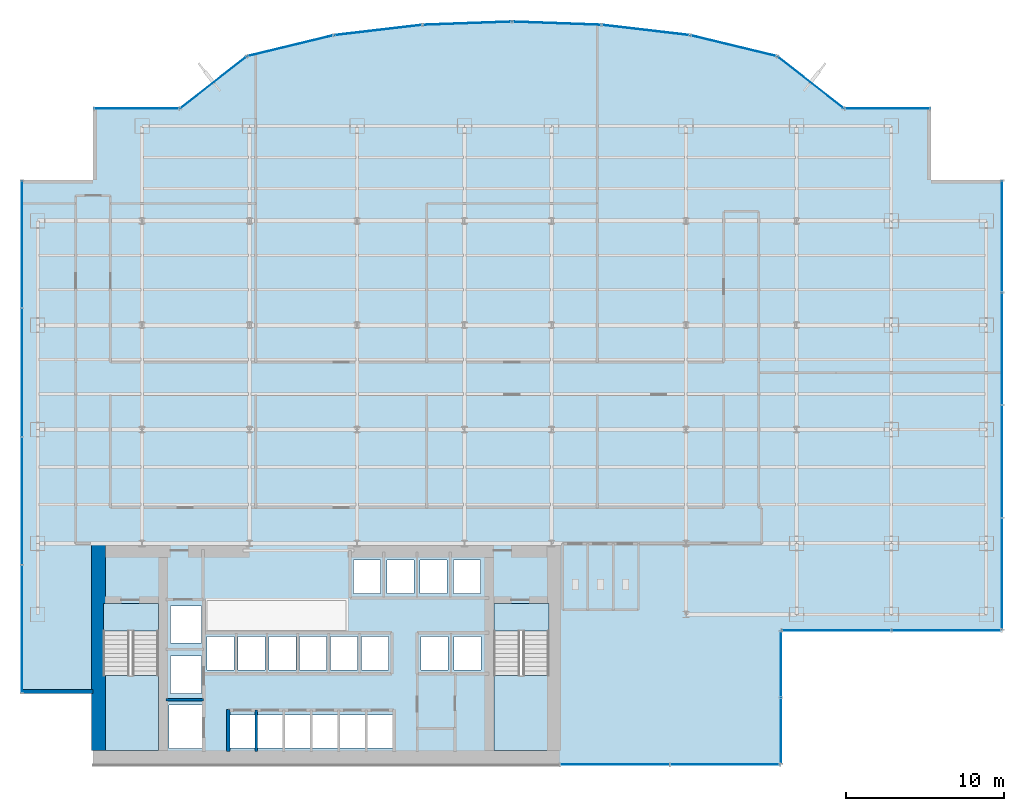
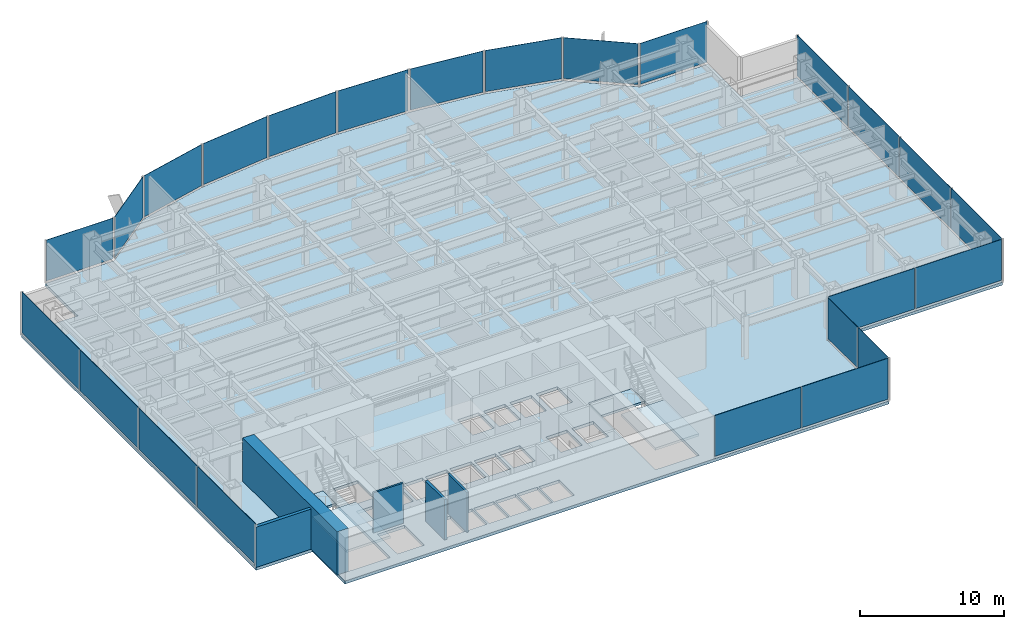
# One storey, part 17 of 23: 24 plates, 5 slabs, 5 walls, 17 elements without a shape of their own.
"""IFC4 building model written with IfcOpenShell, lengths in metres."""

from ifc_helpers import new_model, si_unit, derived_unit, direction, frame, frame_2d, origin, origin_2d, place, context, subcontext, project, spatial, polyline, rectangle, outline, extrude, source, transform, mapped, material, layer, layer_set, type_object, element, aggregate, save


model = new_model("IFC4")

# Units and contexts
model_context = context("Model", 3, precision=1e-05, world=origin(), true_north=direction((0.0, 1.0)))
body_context = subcontext(model_context, "Body", "Model", "MODEL_VIEW")
ifc_project = project(units=[si_unit("LENGTHUNIT", "METRE"), si_unit("AREAUNIT", "SQUARE_METRE"), si_unit("VOLUMEUNIT", "CUBIC_METRE"), si_unit("PLANEANGLEUNIT", "RADIAN"), si_unit("MASSUNIT", "GRAM", prefix="KILO"), derived_unit("THERMALTRANSMITTANCEUNIT", [(si_unit("POWERUNIT", "WATT"), 1), (si_unit("LENGTHUNIT", "METRE"), -2), (si_unit("THERMODYNAMICTEMPERATUREUNIT", "KELVIN"), -1)])], contexts=[model_context])

# Site, building, storey
site_placement = place(None, origin())
site = spatial("IfcSite", under=ifc_project, at=site_placement, CompositionType="ELEMENT")
building_placement = place(site_placement, origin())
building = spatial("IfcBuilding", under=site, at=building_placement, Name="Skarnbrae Concourse Arena and Tower", CompositionType="ELEMENT")
storey_placement = place(building_placement, frame((0.0, 0.0, 50.75)))
storey = spatial("IfcBuildingStorey", under=building, at=storey_placement, Name="L11", CompositionType="ELEMENT", Elevation=50.75)

# Stair, slab
ifc_material_1 = material(Name="Concrete 40 MPa (C40/50)", Category="concrete")
stair_type = type_object("IfcStairType", Name="STAIR-DOGLEG-1650", PredefinedType="HALF_TURN_STAIR", material=ifc_material_1)
stair_1_placement = place(storey_placement, origin())
stair_1 = element("IfcStair", 1, at=stair_1_placement, inside=storey, type_object=stair_type, Name="L11 Protected Exit Stair ST-1", PredefinedType="HALF_TURN_STAIR")
ifc_layer_1 = layer(ifc_material_1, 0.199951171875)
ifc_layer_set_1 = layer_set([ifc_layer_1], Name="Concrete 40 MPa (C40/50)")
slab_type_1 = type_object("IfcSlabType", Name="SLAB-LANDING-200", PredefinedType="LANDING", material=ifc_layer_set_1)
slab_1_placement = place(storey_placement, frame((0.0, 0.0, 1.625)))
slab_1 = element("IfcSlab", 2, at=slab_1_placement, type_object=slab_type_1, Name="ST-1 landing 1", PredefinedType="LANDING", context=body_context, shape_type="SweptSolid", body=[
    extrude(outline(polyline([(5.14990234375, 5.64990234375), (5.14990234375, 0.89990234375), (8.64990234375, 0.89990234375), (8.64990234375, 5.64990234375), (5.14990234375, 5.64990234375)])), origin(), (0.0, 0.0, 1.0), 0.199951171875),
])
aggregate(stair_1, [slab_1])

stair_2_placement = place(storey_placement, origin())
stair_2 = element("IfcStair", 3, at=stair_2_placement, inside=storey, type_object=stair_type, Name="L11 Protected Exit Stair ST-2", PredefinedType="HALF_TURN_STAIR")
slab_2_placement = place(storey_placement, frame((0.0, 0.0, 1.625)))
slab_2 = element("IfcSlab", 4, at=slab_2_placement, type_object=slab_type_1, Name="ST-2 landing 1", PredefinedType="LANDING", context=body_context, shape_type="SweptSolid", body=[
    extrude(outline(polyline([(29.85009765625, 5.64990234375), (29.85009765625, 0.89990234375), (33.35009765625, 0.89990234375), (33.35009765625, 5.64990234375), (29.85009765625, 5.64990234375)])), origin(), (0.0, 0.0, 1.0), 0.199951171875),
])
aggregate(stair_2, [slab_2])

# Slabs
slab_3_placement = place(storey_placement, frame((0.0, 0.0, -0.199951171875)))
element("IfcSlab", 5, at=slab_3_placement, inside=storey, type_object=slab_type_1, Name="L11 Core stair ST1 floor landing", PredefinedType="LANDING", context=body_context, shape_type="SweptSolid", body=[
    extrude(outline(polyline([(5.14990234375, 10.199951171875), (5.14990234375, 8.449951171875), (8.64990234375, 8.449951171875), (8.64990234375, 10.199951171875), (5.14990234375, 10.199951171875)])), origin(), (0.0, 0.0, 1.0), 0.199951171875),
])
slab_4_placement = place(storey_placement, frame((0.0, 0.0, -0.199951171875)))
element("IfcSlab", 6, at=slab_4_placement, inside=storey, type_object=slab_type_1, Name="L11 Core stair ST2 floor landing", PredefinedType="LANDING", context=body_context, shape_type="SweptSolid", body=[
    extrude(outline(polyline([(29.85009765625, 10.199951171875), (29.85009765625, 8.449951171875), (33.35009765625, 8.449951171875), (33.35009765625, 10.199951171875), (29.85009765625, 10.199951171875)])), origin(), (0.0, 0.0, 1.0), 0.199951171875),
])
ifc_layer_2 = layer(ifc_material_1, 0.25)
ifc_layer_set_2 = layer_set([ifc_layer_2], Name="Concrete 40 MPa (C40/50)")
slab_type_2 = type_object("IfcSlabType", Name="SLAB-TOWER-250", PredefinedType="FLOOR", material=ifc_layer_set_2)
slab_5_placement = place(storey_placement, frame((0.0, 0.0, -0.25)))
element("IfcSlab", 7, at=slab_5_placement, inside=storey, type_object=slab_type_2, Name="L11 Structural floor slab", PredefinedType="FLOOR", context=body_context, shape_type="SweptSolid", body=[
    extrude(outline(polyline([(4.5, 0.0), (48.0, 0.0), (48.0, 8.5), (62.0, 8.5), (62.0, 37.0), (57.5, 37.0), (57.5, 41.5), (52.0, 41.5), (47.766357421875, 44.811767578125), (42.2724609375, 46.140380859375), (36.65380859375, 46.796875), (31.0, 47.0), (25.34619140625, 46.796875), (19.7275390625, 46.140380859375), (14.233642578125, 44.811767578125), (10.0, 41.5), (4.5, 41.5), (4.5, 37.0), (0.0, 37.0), (0.0, 4.5), (4.5, 4.5), (4.5, 0.0)]), holes=[polyline([(13.14501953125, 3.155029296875), (14.7548828125, 3.155029296875), (14.7548828125, 1.044921875), (13.14501953125, 1.044921875), (13.14501953125, 3.155029296875)]), polyline([(16.4951171875, 3.155029296875), (16.4951171875, 1.044921875), (14.885009765625, 1.044921875), (14.885009765625, 3.155029296875), (16.4951171875, 3.155029296875)]), polyline([(18.235107421875, 3.155029296875), (18.235107421875, 1.044921875), (16.625, 1.044921875), (16.625, 3.155029296875), (18.235107421875, 3.155029296875)]), polyline([(18.364990234375, 3.155029296875), (19.97509765625, 3.155029296875), (19.97509765625, 1.044921875), (18.364990234375, 1.044921875), (18.364990234375, 3.155029296875)]), polyline([(11.455078125, 3.780029296875), (11.455078125, 1.02001953125), (9.294921875, 1.02001953125), (9.294921875, 3.780029296875), (11.455078125, 3.780029296875)]), polyline([(8.64990234375, 0.89990234375), (5.14990234375, 0.89990234375), (5.14990234375, 10.199951171875), (8.64990234375, 10.199951171875), (8.64990234375, 0.89990234375)]), polyline([(9.39501953125, 6.8798828125), (11.35498046875, 6.8798828125), (11.35498046875, 4.52001953125), (9.39501953125, 4.52001953125), (9.39501953125, 6.8798828125)]), polyline([(13.429931640625, 8.10498046875), (13.429931640625, 5.9951171875), (11.719970703125, 5.9951171875), (11.719970703125, 8.10498046875), (13.429931640625, 8.10498046875)]), polyline([(15.3798828125, 8.10498046875), (15.3798828125, 5.9951171875), (13.669921875, 5.9951171875), (13.669921875, 8.10498046875), (15.3798828125, 8.10498046875)]), polyline([(15.6201171875, 8.10498046875), (17.330078125, 8.10498046875), (17.330078125, 5.9951171875), (15.6201171875, 5.9951171875), (15.6201171875, 8.10498046875)]), polyline([(19.280029296875, 8.10498046875), (19.280029296875, 5.9951171875), (17.570068359375, 5.9951171875), (17.570068359375, 8.10498046875), (19.280029296875, 8.10498046875)]), polyline([(11.35498046875, 10.054931640625), (11.35498046875, 7.695068359375), (9.39501953125, 7.695068359375), (9.39501953125, 10.054931640625), (11.35498046875, 10.054931640625)]), polyline([(21.715087890625, 3.155029296875), (21.715087890625, 1.044921875), (20.10498046875, 1.044921875), (20.10498046875, 3.155029296875), (21.715087890625, 3.155029296875)]), polyline([(23.455078125, 3.155029296875), (23.455078125, 1.044921875), (21.844970703125, 1.044921875), (21.844970703125, 3.155029296875), (23.455078125, 3.155029296875)]), polyline([(33.35009765625, 10.199951171875), (33.35009765625, 0.89990234375), (29.85009765625, 0.89990234375), (29.85009765625, 10.199951171875), (33.35009765625, 10.199951171875)]), polyline([(21.22998046875, 8.10498046875), (21.22998046875, 5.9951171875), (19.52001953125, 5.9951171875), (19.52001953125, 8.10498046875), (21.22998046875, 8.10498046875)]), polyline([(23.179931640625, 8.10498046875), (23.179931640625, 5.9951171875), (21.469970703125, 5.9951171875), (21.469970703125, 8.10498046875), (23.179931640625, 8.10498046875)]), polyline([(25.235107421875, 8.10498046875), (26.945068359375, 8.10498046875), (26.945068359375, 5.9951171875), (25.235107421875, 5.9951171875), (25.235107421875, 8.10498046875)]), polyline([(29.044921875, 8.10498046875), (29.044921875, 5.9951171875), (27.3349609375, 5.9951171875), (27.3349609375, 8.10498046875), (29.044921875, 8.10498046875)]), polyline([(22.695068359375, 12.955078125), (22.695068359375, 10.844970703125), (20.985107421875, 10.844970703125), (20.985107421875, 12.955078125), (22.695068359375, 12.955078125)]), polyline([(23.0849609375, 12.955078125), (24.794921875, 12.955078125), (24.794921875, 10.844970703125), (23.0849609375, 10.844970703125), (23.0849609375, 12.955078125)]), polyline([(26.89501953125, 12.955078125), (26.89501953125, 10.844970703125), (25.18505859375, 10.844970703125), (25.18505859375, 12.955078125), (26.89501953125, 12.955078125)]), polyline([(28.9951171875, 12.955078125), (28.9951171875, 10.844970703125), (27.284912109375, 10.844970703125), (27.284912109375, 12.955078125), (28.9951171875, 12.955078125)])]), origin(), (0.0, 0.0, 1.0), 0.25),
])

# Curtain wall, plates
ifc_material_2 = material(Name="Bronze anodised aluminium 6063-T6", Category="aluminium")
curtain_wall_type_1 = type_object("IfcCurtainWallType", Name="CW-SYS-02-LOWZONE", PredefinedType="USERDEFINED", material=ifc_material_2)
curtain_wall_1_placement = place(storey_placement, origin())
curtain_wall_1 = element("IfcCurtainWall", 8, at=curtain_wall_1_placement, inside=storey, type_object=curtain_wall_type_1, Name="L11 Unitised curtain wall CW-L11-SE-SPINE", ObjectType="UNITISED CURTAIN WALL", PredefinedType="USERDEFINED")
ifc_material_3 = material(Name="Low-E triple insulating glass", Category="glass")
ifc_layer_3 = layer(ifc_material_3, 0.031982421875)
ifc_layer_set_3 = layer_set([ifc_layer_3], Name="Low-E triple insulating glass")
plate_type_1 = type_object("IfcPlateType", Name="CWP-CW-02", PredefinedType="CURTAIN_PANEL", material=ifc_layer_set_3)
shared_shape_1 = source(origin(), body_context, "Body", "SweptSolid", [
    extrude(rectangle(XDim=6.8798828125, YDim=0.031982421875, at=origin_2d()), origin(), (0.0, 0.0, 1.0), 3.4599609375),
])
plate_1_placement = place(storey_placement, frame((37.52001953125, 0.0, 0.18994140625), z_axis=(0.0, 0.0, 1.0), x_axis=(1.0, 0.0, 0.0)))
plate_1 = element("IfcPlate", 9, at=plate_1_placement, type_object=plate_type_1, Name="CW-L11-SE-SPINE Low-E Glazing Panel 1", PredefinedType="CURTAIN_PANEL", context=body_context, shape_type="MappedRepresentation", body=[
    mapped(shared_shape_1, transform((0.0, 0.0, 0.0))),
])
plate_2_placement = place(storey_placement, frame((44.47998046875, 0.0, 0.18994140625), z_axis=(0.0, 0.0, 1.0), x_axis=(1.0, 0.0, 0.0)))
plate_2 = element("IfcPlate", 10, at=plate_2_placement, type_object=plate_type_1, Name="CW-L11-SE-SPINE Low-E Glazing Panel 2", PredefinedType="CURTAIN_PANEL", context=body_context, shape_type="MappedRepresentation", body=[
    mapped(shared_shape_1, transform((0.0, 0.0, 0.0))),
])
aggregate(curtain_wall_1, [plate_1, plate_2])

curtain_wall_2_placement = place(storey_placement, origin())
curtain_wall_2 = element("IfcCurtainWall", 11, at=curtain_wall_2_placement, inside=storey, type_object=curtain_wall_type_1, Name="L11 Unitised curtain wall CW-L11-E03", ObjectType="UNITISED CURTAIN WALL", PredefinedType="USERDEFINED")
plate_3_placement = place(storey_placement, frame((51.52001953125, 8.5, 0.18994140625), z_axis=(0.0, 0.0, 1.0), x_axis=(1.0, 0.0, 0.0)))
plate_3 = element("IfcPlate", 12, at=plate_3_placement, type_object=plate_type_1, Name="CW-L11-E03 Low-E Glazing Panel 1", PredefinedType="CURTAIN_PANEL", context=body_context, shape_type="MappedRepresentation", body=[
    mapped(shared_shape_1, transform((0.0, 0.0, 0.0))),
])
plate_4_placement = place(storey_placement, frame((58.47998046875, 8.5, 0.18994140625), z_axis=(0.0, 0.0, 1.0), x_axis=(1.0, 0.0, 0.0)))
plate_4 = element("IfcPlate", 13, at=plate_4_placement, type_object=plate_type_1, Name="CW-L11-E03 Low-E Glazing Panel 2", PredefinedType="CURTAIN_PANEL", context=body_context, shape_type="MappedRepresentation", body=[
    mapped(shared_shape_1, transform((0.0, 0.0, 0.0))),
])
aggregate(curtain_wall_2, [plate_3, plate_4])

curtain_wall_3_placement = place(storey_placement, origin())
curtain_wall_3 = element("IfcCurtainWall", 14, at=curtain_wall_3_placement, inside=storey, type_object=curtain_wall_type_1, Name="L11 Unitised curtain wall CW-L11-E02", ObjectType="UNITISED CURTAIN WALL", PredefinedType="USERDEFINED")
shared_shape_2 = source(origin(), body_context, "Body", "SweptSolid", [
    extrude(rectangle(XDim=4.1298828125, YDim=0.031982421875, at=origin_2d()), origin(), (0.0, 0.0, 1.0), 3.4599609375),
])
plate_5_placement = place(storey_placement, frame((48.0, 2.14501953125, 0.18994140625), z_axis=(0.0, 0.0, 1.0), x_axis=(0.0, 1.0, 0.0)))
plate_5 = element("IfcPlate", 15, at=plate_5_placement, type_object=plate_type_1, Name="CW-L11-E02 Low-E Glazing Panel 1", PredefinedType="CURTAIN_PANEL", context=body_context, shape_type="MappedRepresentation", body=[
    mapped(shared_shape_2, transform((0.0, 0.0, 0.0))),
])
plate_6_placement = place(storey_placement, frame((48.0, 6.35498046875, 0.18994140625), z_axis=(0.0, 0.0, 1.0), x_axis=(0.0, 1.0, 0.0)))
plate_6 = element("IfcPlate", 16, at=plate_6_placement, type_object=plate_type_1, Name="CW-L11-E02 Low-E Glazing Panel 2", PredefinedType="CURTAIN_PANEL", context=body_context, shape_type="MappedRepresentation", body=[
    mapped(shared_shape_2, transform((0.0, 0.0, 0.0))),
])
aggregate(curtain_wall_3, [plate_5, plate_6])

curtain_wall_4_placement = place(storey_placement, origin())
curtain_wall_4 = element("IfcCurtainWall", 17, at=curtain_wall_4_placement, inside=storey, type_object=curtain_wall_type_1, Name="L11 Unitised curtain wall CW-L11-E04", ObjectType="UNITISED CURTAIN WALL", PredefinedType="USERDEFINED")
shared_shape_3 = source(origin(), body_context, "Body", "SweptSolid", [
    extrude(rectangle(XDim=7.0048828125, YDim=0.031982421875, at=origin_2d()), origin(), (0.0, 0.0, 1.0), 3.4599609375),
])
plate_7_placement = place(storey_placement, frame((62.0, 12.08251953125, 0.18994140625), z_axis=(0.0, 0.0, 1.0), x_axis=(0.0, 1.0, 0.0)))
plate_7 = element("IfcPlate", 18, at=plate_7_placement, type_object=plate_type_1, Name="CW-L11-E04 Low-E Glazing Panel 1", PredefinedType="CURTAIN_PANEL", context=body_context, shape_type="MappedRepresentation", body=[
    mapped(shared_shape_3, transform((0.0, 0.0, 0.0))),
])
plate_8_placement = place(storey_placement, frame((62.0, 33.41748046875, 0.18994140625), z_axis=(0.0, 0.0, 1.0), x_axis=(0.0, 1.0, 0.0)))
plate_8 = element("IfcPlate", 19, at=plate_8_placement, type_object=plate_type_1, Name="CW-L11-E04 Low-E Glazing Panel 4", PredefinedType="CURTAIN_PANEL", context=body_context, shape_type="MappedRepresentation", body=[
    mapped(shared_shape_3, transform((0.0, 0.0, 0.0))),
])
shared_shape_4 = source(origin(), body_context, "Body", "SweptSolid", [
    extrude(rectangle(XDim=7.044921875, YDim=0.031982421875, at=origin_2d()), origin(), (0.0, 0.0, 1.0), 3.4599609375),
])
plate_9_placement = place(storey_placement, frame((62.0, 19.1875, 0.18994140625), z_axis=(0.0, 0.0, 1.0), x_axis=(0.0, 1.0, 0.0)))
plate_9 = element("IfcPlate", 20, at=plate_9_placement, type_object=plate_type_1, Name="CW-L11-E04 Low-E Glazing Panel 2", PredefinedType="CURTAIN_PANEL", context=body_context, shape_type="MappedRepresentation", body=[
    mapped(shared_shape_4, transform((0.0, 0.0, 0.0))),
])
plate_10_placement = place(storey_placement, frame((62.0, 26.3125, 0.18994140625), z_axis=(0.0, 0.0, 1.0), x_axis=(0.0, 1.0, 0.0)))
plate_10 = element("IfcPlate", 21, at=plate_10_placement, type_object=plate_type_1, Name="CW-L11-E04 Low-E Glazing Panel 3", PredefinedType="CURTAIN_PANEL", context=body_context, shape_type="MappedRepresentation", body=[
    mapped(shared_shape_4, transform((0.0, 0.0, 0.0))),
])
aggregate(curtain_wall_4, [plate_7, plate_9, plate_10, plate_8])

# Curtain wall, plate
curtain_wall_5_placement = place(storey_placement, origin())
curtain_wall_5 = element("IfcCurtainWall", 22, at=curtain_wall_5_placement, inside=storey, type_object=curtain_wall_type_1, Name="L11 Unitised curtain wall CW-L11-E07", ObjectType="UNITISED CURTAIN WALL", PredefinedType="USERDEFINED")
shared_shape_5 = source(origin(), body_context, "Body", "SweptSolid", [
    extrude(rectangle(XDim=5.340087890625, YDim=0.031982421875, at=origin_2d()), origin(), (0.0, 0.0, 1.0), 3.4599609375),
])
plate_11_placement = place(storey_placement, frame((54.75, 41.5, 0.18994140625), z_axis=(0.0, 0.0, 1.0), x_axis=(-1.0, 0.0, 0.0)))
plate_11 = element("IfcPlate", 23, at=plate_11_placement, type_object=plate_type_1, Name="CW-L11-E07 Low-E Glazing Panel 1", PredefinedType="CURTAIN_PANEL", context=body_context, shape_type="MappedRepresentation", body=[
    mapped(shared_shape_5, transform((0.0, 0.0, 0.0))),
])
aggregate(curtain_wall_5, [plate_11])

curtain_wall_6_placement = place(storey_placement, origin())
curtain_wall_6 = element("IfcCurtainWall", 24, at=curtain_wall_6_placement, inside=storey, type_object=curtain_wall_type_1, Name="L11 Unitised curtain wall CW-L11-E16", ObjectType="UNITISED CURTAIN WALL", PredefinedType="USERDEFINED")
plate_12_placement = place(storey_placement, frame((7.25, 41.5, 0.18994140625), z_axis=(0.0, 0.0, 1.0), x_axis=(-1.0, 0.0, 0.0)))
plate_12 = element("IfcPlate", 25, at=plate_12_placement, type_object=plate_type_1, Name="CW-L11-E16 Low-E Glazing Panel 1", PredefinedType="CURTAIN_PANEL", context=body_context, shape_type="MappedRepresentation", body=[
    mapped(shared_shape_5, transform((0.0, 0.0, 0.0))),
])
aggregate(curtain_wall_6, [plate_12])

curtain_wall_7_placement = place(storey_placement, origin())
curtain_wall_7 = element("IfcCurtainWall", 26, at=curtain_wall_7_placement, inside=storey, type_object=curtain_wall_type_1, Name="L11 Unitised curtain wall CW-L11-E08", ObjectType="UNITISED CURTAIN WALL", PredefinedType="USERDEFINED")
shared_shape_6 = source(origin(), body_context, "Body", "SweptSolid", [
    extrude(rectangle(XDim=5.215087890625, YDim=0.031982421875, at=origin_2d()), origin(), (0.0, 0.0, 1.0), 3.4599609375),
])
plate_13_placement = place(storey_placement, frame((49.88330078125, 43.156005859375, 0.18994140625), z_axis=(0.0, 0.0, 1.0), x_axis=(-0.787651726054, 0.616120733658, 0.0)))
plate_13 = element("IfcPlate", 27, at=plate_13_placement, type_object=plate_type_1, Name="CW-L11-E08 Low-E Glazing Panel 1", PredefinedType="CURTAIN_PANEL", context=body_context, shape_type="MappedRepresentation", body=[
    mapped(shared_shape_6, transform((0.0, 0.0, 0.0))),
])
aggregate(curtain_wall_7, [plate_13])

curtain_wall_8_placement = place(storey_placement, origin())
curtain_wall_8 = element("IfcCurtainWall", 28, at=curtain_wall_8_placement, inside=storey, type_object=curtain_wall_type_1, Name="L11 Unitised curtain wall CW-L11-E15", ObjectType="UNITISED CURTAIN WALL", PredefinedType="USERDEFINED")
plate_14_placement = place(storey_placement, frame((12.11669921875, 43.156005859375, 0.18994140625), z_axis=(0.0, 0.0, 1.0), x_axis=(-0.787651726054, -0.616120733658, 0.0)))
plate_14 = element("IfcPlate", 29, at=plate_14_placement, type_object=plate_type_1, Name="CW-L11-E15 Low-E Glazing Panel 1", PredefinedType="CURTAIN_PANEL", context=body_context, shape_type="MappedRepresentation", body=[
    mapped(shared_shape_6, transform((0.0, 0.0, 0.0))),
])
aggregate(curtain_wall_8, [plate_14])

# Curtain wall, plates
curtain_wall_9_placement = place(storey_placement, origin())
curtain_wall_9 = element("IfcCurtainWall", 30, at=curtain_wall_9_placement, inside=storey, type_object=curtain_wall_type_1, Name="L11 Unitised curtain wall CW-L11-E19", ObjectType="UNITISED CURTAIN WALL", PredefinedType="USERDEFINED")
shared_shape_7 = source(origin(), body_context, "Body", "SweptSolid", [
    extrude(rectangle(XDim=8.0048828125, YDim=0.031982421875, at=origin_2d()), origin(), (0.0, 0.0, 1.0), 3.4599609375),
])
plate_15_placement = place(storey_placement, frame((0.0, 32.91748046875, 0.18994140625), z_axis=(0.0, 0.0, 1.0), x_axis=(0.0, -1.0, 0.0)))
plate_15 = element("IfcPlate", 31, at=plate_15_placement, type_object=plate_type_1, Name="CW-L11-E19 Low-E Glazing Panel 1", PredefinedType="CURTAIN_PANEL", context=body_context, shape_type="MappedRepresentation", body=[
    mapped(shared_shape_7, transform((0.0, 0.0, 0.0))),
])
plate_16_placement = place(storey_placement, frame((0.0, 8.58251953125, 0.18994140625), z_axis=(0.0, 0.0, 1.0), x_axis=(0.0, -1.0, 0.0)))
plate_16 = element("IfcPlate", 32, at=plate_16_placement, type_object=plate_type_1, Name="CW-L11-E19 Low-E Glazing Panel 4", PredefinedType="CURTAIN_PANEL", context=body_context, shape_type="MappedRepresentation", body=[
    mapped(shared_shape_7, transform((0.0, 0.0, 0.0))),
])
shared_shape_8 = source(origin(), body_context, "Body", "SweptSolid", [
    extrude(rectangle(XDim=8.044921875, YDim=0.031982421875, at=origin_2d()), origin(), (0.0, 0.0, 1.0), 3.4599609375),
])
plate_17_placement = place(storey_placement, frame((0.0, 24.8125, 0.18994140625), z_axis=(0.0, 0.0, 1.0), x_axis=(0.0, -1.0, 0.0)))
plate_17 = element("IfcPlate", 33, at=plate_17_placement, type_object=plate_type_1, Name="CW-L11-E19 Low-E Glazing Panel 2", PredefinedType="CURTAIN_PANEL", context=body_context, shape_type="MappedRepresentation", body=[
    mapped(shared_shape_8, transform((0.0, 0.0, 0.0))),
])
plate_18_placement = place(storey_placement, frame((0.0, 16.6875, 0.18994140625), z_axis=(0.0, 0.0, 1.0), x_axis=(0.0, -1.0, 0.0)))
plate_18 = element("IfcPlate", 34, at=plate_18_placement, type_object=plate_type_1, Name="CW-L11-E19 Low-E Glazing Panel 3", PredefinedType="CURTAIN_PANEL", context=body_context, shape_type="MappedRepresentation", body=[
    mapped(shared_shape_8, transform((0.0, 0.0, 0.0))),
])
aggregate(curtain_wall_9, [plate_15, plate_17, plate_18, plate_16])

# Curtain wall, plate
curtain_wall_type_2 = type_object("IfcCurtainWallType", Name="CW-SYS-03-PORTAL", PredefinedType="USERDEFINED", material=ifc_material_2)
curtain_wall_10_placement = place(storey_placement, origin())
curtain_wall_10 = element("IfcCurtainWall", 35, at=curtain_wall_10_placement, inside=storey, type_object=curtain_wall_type_2, Name="L11 Unitised curtain wall CW-L11-E09", ObjectType="UNITISED CURTAIN WALL", PredefinedType="USERDEFINED")
ifc_layer_4 = layer(ifc_material_3, 0.033935546875)
ifc_layer_set_4 = layer_set([ifc_layer_4], Name="Low-E triple insulating glass")
plate_type_2 = type_object("IfcPlateType", Name="CWP-CW-03", PredefinedType="CURTAIN_PANEL", material=ifc_layer_set_4)
shared_shape_9 = source(origin(), body_context, "Body", "SweptSolid", [
    extrude(rectangle(XDim=5.4921875, YDim=0.033935546875, at=origin_2d()), origin(), (0.0, 0.0, 1.0), 3.47998046875),
])
plate_19_placement = place(storey_placement, frame((45.019287109375, 45.47607421875, 0.169921875), z_axis=(0.0, 0.0, 1.0), x_axis=(-0.971973721569, 0.235089524607, 0.0)))
plate_19 = element("IfcPlate", 36, at=plate_19_placement, type_object=plate_type_2, Name="CW-L11-E09 Low-E Glazing Panel 1", PredefinedType="CURTAIN_PANEL", context=body_context, shape_type="MappedRepresentation", body=[
    mapped(shared_shape_9, transform((0.0, 0.0, 0.0))),
])
aggregate(curtain_wall_10, [plate_19])

curtain_wall_11_placement = place(storey_placement, origin())
curtain_wall_11 = element("IfcCurtainWall", 37, at=curtain_wall_11_placement, inside=storey, type_object=curtain_wall_type_2, Name="L11 Unitised curtain wall CW-L11-E14", ObjectType="UNITISED CURTAIN WALL", PredefinedType="USERDEFINED")
plate_20_placement = place(storey_placement, frame((16.980712890625, 45.47607421875, 0.169921875), z_axis=(0.0, 0.0, 1.0), x_axis=(-0.971973721569, -0.235089524607, 0.0)))
plate_20 = element("IfcPlate", 38, at=plate_20_placement, type_object=plate_type_2, Name="CW-L11-E14 Low-E Glazing Panel 1", PredefinedType="CURTAIN_PANEL", context=body_context, shape_type="MappedRepresentation", body=[
    mapped(shared_shape_9, transform((0.0, 0.0, 0.0))),
])
aggregate(curtain_wall_11, [plate_20])

curtain_wall_12_placement = place(storey_placement, origin())
curtain_wall_12 = element("IfcCurtainWall", 39, at=curtain_wall_12_placement, inside=storey, type_object=curtain_wall_type_2, Name="L11 Unitised curtain wall CW-L11-E10", ObjectType="UNITISED CURTAIN WALL", PredefinedType="USERDEFINED")
shared_shape_10 = source(origin(), body_context, "Body", "SweptSolid", [
    extrude(rectangle(XDim=5.49658203125, YDim=0.033935546875, at=origin_2d()), origin(), (0.0, 0.0, 1.0), 3.47998046875),
])
plate_21_placement = place(storey_placement, frame((39.463134765625, 46.46875, 0.169921875), z_axis=(0.0, 0.0, 1.0), x_axis=(-0.99324457001, 0.116039752435, 0.0)))
plate_21 = element("IfcPlate", 40, at=plate_21_placement, type_object=plate_type_2, Name="CW-L11-E10 Low-E Glazing Panel 1", PredefinedType="CURTAIN_PANEL", context=body_context, shape_type="MappedRepresentation", body=[
    mapped(shared_shape_10, transform((0.0, 0.0, 0.0))),
])
aggregate(curtain_wall_12, [plate_21])

curtain_wall_13_placement = place(storey_placement, origin())
curtain_wall_13 = element("IfcCurtainWall", 41, at=curtain_wall_13_placement, inside=storey, type_object=curtain_wall_type_2, Name="L11 Unitised curtain wall CW-L11-E13", ObjectType="UNITISED CURTAIN WALL", PredefinedType="USERDEFINED")
plate_22_placement = place(storey_placement, frame((22.536865234375, 46.46875, 0.169921875), z_axis=(0.0, 0.0, 1.0), x_axis=(-0.99324457001, -0.116039752435, 0.0)))
plate_22 = element("IfcPlate", 42, at=plate_22_placement, type_object=plate_type_2, Name="CW-L11-E13 Low-E Glazing Panel 1", PredefinedType="CURTAIN_PANEL", context=body_context, shape_type="MappedRepresentation", body=[
    mapped(shared_shape_10, transform((0.0, 0.0, 0.0))),
])
aggregate(curtain_wall_13, [plate_22])

curtain_wall_14_placement = place(storey_placement, origin())
curtain_wall_14 = element("IfcCurtainWall", 43, at=curtain_wall_14_placement, inside=storey, type_object=curtain_wall_type_2, Name="L11 Unitised curtain wall CW-L11-E11", ObjectType="UNITISED CURTAIN WALL", PredefinedType="USERDEFINED")
shared_shape_11 = source(origin(), body_context, "Body", "SweptSolid", [
    extrude(rectangle(XDim=5.49755859375, YDim=0.033935546875, at=origin_2d()), origin(), (0.0, 0.0, 1.0), 3.47998046875),
])
plate_23_placement = place(storey_placement, frame((33.826904296875, 46.8984375, 0.169921875), z_axis=(0.0, 0.0, 1.0), x_axis=(-0.999355425188, 0.035898943527, 0.0)))
plate_23 = element("IfcPlate", 44, at=plate_23_placement, type_object=plate_type_2, Name="CW-L11-E11 Low-E Glazing Panel 1", PredefinedType="CURTAIN_PANEL", context=body_context, shape_type="MappedRepresentation", body=[
    mapped(shared_shape_11, transform((0.0, 0.0, 0.0))),
])
aggregate(curtain_wall_14, [plate_23])

curtain_wall_15_placement = place(storey_placement, origin())
curtain_wall_15 = element("IfcCurtainWall", 45, at=curtain_wall_15_placement, inside=storey, type_object=curtain_wall_type_2, Name="L11 Unitised curtain wall CW-L11-E12", ObjectType="UNITISED CURTAIN WALL", PredefinedType="USERDEFINED")
plate_24_placement = place(storey_placement, frame((28.173095703125, 46.8984375, 0.169921875), z_axis=(0.0, 0.0, 1.0), x_axis=(-0.999355425188, -0.035898943527, 0.0)))
plate_24 = element("IfcPlate", 46, at=plate_24_placement, type_object=plate_type_2, Name="CW-L11-E12 Low-E Glazing Panel 1", PredefinedType="CURTAIN_PANEL", context=body_context, shape_type="MappedRepresentation", body=[
    mapped(shared_shape_11, transform((0.0, 0.0, 0.0))),
])
aggregate(curtain_wall_15, [plate_24])

# Walls
ifc_material_4 = material(Name="Concrete 70 MPa (C70/85)", Category="concrete")
ifc_layer_5 = layer(ifc_material_4, 0.89990234375)
ifc_layer_set_5 = layer_set([ifc_layer_5], Name="Concrete 70 MPa (C70/85)")
wall_type_1 = type_object("IfcWallType", Name="WALL-CORE-900-C70", PredefinedType="SHEAR", material=ifc_layer_set_5)
shared_shape_12 = source(origin(), body_context, "Body", "SweptSolid", [
    extrude(rectangle(XDim=13.10009765625, YDim=0.89990234375, at=frame_2d((6.550048828125, 0.0))), origin(), (0.0, 0.0, 1.0), 3.64990234375),
])
wall_1_placement = place(storey_placement, frame((4.85009765625, 0.89990234375, 0.0), z_axis=(0.0, 0.0, 1.0), x_axis=(0.0, 1.0, 0.0)))
element("IfcWall", 47, at=wall_1_placement, inside=storey, type_object=wall_type_1, Name="L11 Rear core shear wall CW-W", PredefinedType="SHEAR", context=body_context, shape_type="MappedRepresentation", body=[
    mapped(shared_shape_12, transform((0.0, 0.0, 0.0))),
])
ifc_material_5 = material(Name="Precast concrete 40 MPa (C40/50)", Category="concrete")
ifc_layer_6 = layer(ifc_material_5, 0.25)
ifc_layer_set_6 = layer_set([ifc_layer_6], Name="Precast concrete 40 MPa (C40/50)")
wall_type_2 = type_object("IfcWallType", Name="WALL-EXT-SPANDREL-250", PredefinedType="STANDARD", material=ifc_layer_set_6)
shared_shape_13 = source(origin(), body_context, "Body", "SweptSolid", [
    extrude(rectangle(XDim=4.5, YDim=0.25, at=frame_2d((2.25, 0.0))), origin(), (0.0, 0.0, 1.0), 3.39990234375),
])
wall_2_placement = place(storey_placement, frame((0.0, 4.625, 0.0), z_axis=(0.0, 0.0, 1.0), x_axis=(1.0, 0.0, 0.0)))
element("IfcWall", 48, at=wall_2_placement, inside=storey, type_object=wall_type_2, Name="L11 Notched corner insulated return wall 20", PredefinedType="STANDARD", context=body_context, shape_type="MappedRepresentation", body=[
    mapped(shared_shape_13, transform((0.0, 0.0, 0.0))),
])
ifc_material_6 = material(Name="Gypsum board on cold-formed steel studs", Category="steel")
ifc_layer_7 = layer(ifc_material_6, 0.14990234375)
ifc_layer_set_7 = layer_set([ifc_layer_7], Name="Gypsum board on cold-formed steel studs")
wall_type_3 = type_object("IfcWallType", Name="WALL-PART-150", PredefinedType="PARTITIONING", material=ifc_layer_set_7)
shared_shape_14 = source(origin(), body_context, "Body", "SweptSolid", [
    extrude(rectangle(XDim=2.39990234375, YDim=0.14990234375, at=frame_2d((1.199951171875, 0.0))), origin(), (0.0, 0.0, 1.0), 3.39990234375),
])
wall_3_placement = place(storey_placement, frame((9.10009765625, 4.10009765625, 0.0), z_axis=(0.0, 0.0, 1.0), x_axis=(1.0, 0.0, 0.0)))
element("IfcWall", 49, at=wall_3_placement, inside=storey, type_object=wall_type_3, Name="L11 Interior partition wall W-L11-FL-D1", PredefinedType="PARTITIONING", context=body_context, shape_type="MappedRepresentation", body=[
    mapped(shared_shape_14, transform((0.0, 0.0, 0.0))),
])
ifc_layer_8 = layer(ifc_material_6, 0.199951171875)
ifc_layer_set_8 = layer_set([ifc_layer_8], Name="Gypsum board on cold-formed steel studs")
wall_type_4 = type_object("IfcWallType", Name="WALL-PART-200-2HR", PredefinedType="PARTITIONING", material=ifc_layer_set_8)
shared_shape_15 = source(origin(), body_context, "Body", "SweptSolid", [
    extrude(rectangle(XDim=2.64990234375, YDim=0.199951171875, at=frame_2d((1.324951171875, 0.0))), origin(), (0.0, 0.0, 1.0), 3.39990234375),
])
wall_4_placement = place(storey_placement, frame((13.050048828125, 0.85009765625, 0.0), z_axis=(0.0, 0.0, 1.0), x_axis=(0.0, 1.0, 0.0)))
element("IfcWall", 50, at=wall_4_placement, inside=storey, type_object=wall_type_4, Name="L11 Interior partition wall W-L11-B1-W", PredefinedType="PARTITIONING", context=body_context, shape_type="MappedRepresentation", body=[
    mapped(shared_shape_15, transform((0.0, 0.0, 0.0))),
])
shared_shape_16 = source(origin(), body_context, "Body", "SweptSolid", [
    extrude(rectangle(XDim=2.599853515625, YDim=0.14990234375, at=frame_2d((1.2998046875, 0.0))), origin(), (0.0, 0.0, 1.0), 3.39990234375),
])
wall_5_placement = place(storey_placement, frame((14.820068359375, 0.85009765625, 0.0), z_axis=(0.0, 0.0, 1.0), x_axis=(0.0, 1.0, 0.0)))
element("IfcWall", 51, at=wall_5_placement, inside=storey, type_object=wall_type_3, Name="L11 Interior partition wall W-L11-B1-P1", PredefinedType="PARTITIONING", context=body_context, shape_type="MappedRepresentation", body=[
    mapped(shared_shape_16, transform((0.0, 0.0, 0.0))),
])

save(model, "model.ifc")
